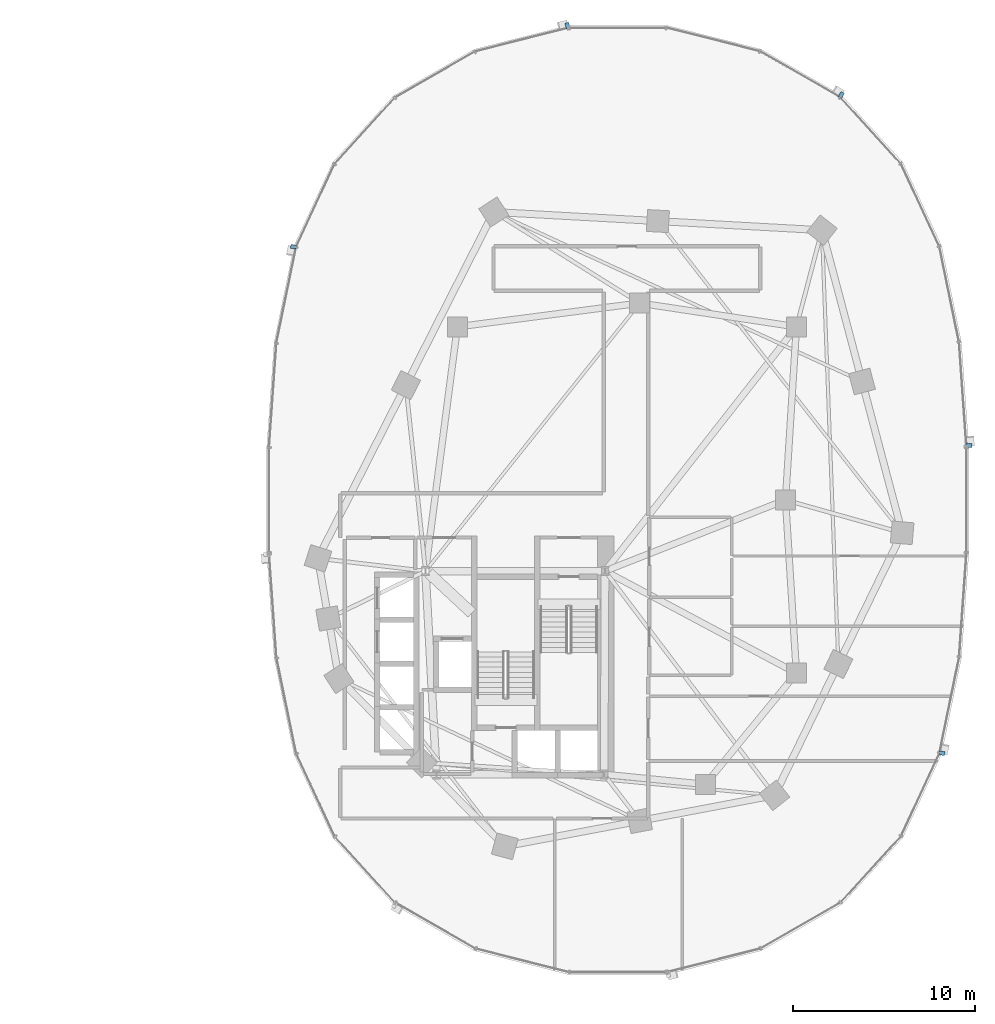
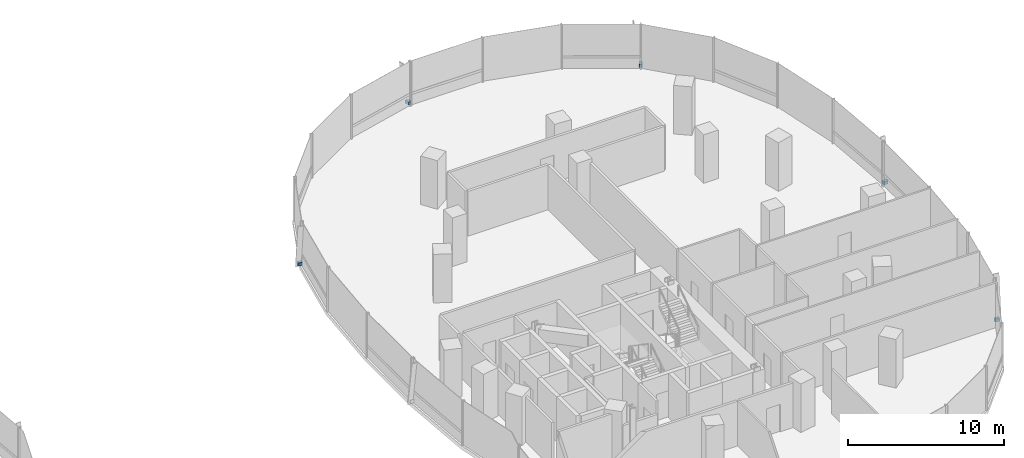
# One storey, part 16 of 21: 5 discrete accessories.
"""IFC4 building model written with IfcOpenShell, lengths in metres."""

from ifc_helpers import new_model, si_unit, direction, frame, origin, origin_2d, place, context, subcontext, project, spatial, rectangle, extrude, material, type_object, element, save


model = new_model("IFC4")

# Units and contexts
model_context = context("Model", 3, precision=1e-05, world=origin(), true_north=direction((0.0, 1.0)))
body_context = subcontext(model_context, "Body", "Model", "MODEL_VIEW")
ifc_project = project(units=[si_unit("LENGTHUNIT", "METRE"), si_unit("AREAUNIT", "SQUARE_METRE"), si_unit("VOLUMEUNIT", "CUBIC_METRE"), si_unit("PLANEANGLEUNIT", "RADIAN"), si_unit("MASSUNIT", "GRAM", prefix="KILO"), si_unit("THERMODYNAMICTEMPERATUREUNIT", "KELVIN"), si_unit("POWERUNIT", "WATT")], contexts=[model_context])

# Site, building, storey
site_placement = place(None, origin())
site = spatial("IfcSite", under=ifc_project, at=site_placement, CompositionType="ELEMENT")
building_placement = place(site_placement, origin())
building = spatial("IfcBuilding", under=site, at=building_placement, Name="Cundina Bronze Exchange", CompositionType="ELEMENT")
storey_placement = place(building_placement, frame((0.0, 0.0, 27.800048828125)))
storey = spatial("IfcBuildingStorey", under=building, at=storey_placement, Name="L06", CompositionType="ELEMENT", Elevation=27.800048828125)

# Discrete accessories
ifc_material = material(Name="Anodised Bronze Aluminium 6063-T6", Category="aluminium")
discrete_accessory_type = type_object("IfcDiscreteAccessoryType", Name="ACC-BRK-FIN", PredefinedType="BRACKET", material=ifc_material)
for number, where, z_axis, x_axis, name in (
    (1, (51.264404296875, 2.986083984375, 0.10009765625), (0.0, 0.0, 1.0), (-0.070278787473, 0.997527389113, 0.0), "L06 Fin Support Bracket 1"),
    (2, (44.259521484375, 22.21875, 0.10009765625), (0.0, 0.0, 1.0), (-0.867105478933, 0.498124571171, 0.0), "L06 Fin Support Bracket 5"),
    (3, (29.23974609375, 26.03173828125, 0.10009765625), (0.0, 0.0, 1.0), (-0.969488149345, -0.245138182011, 0.0), "L06 Fin Support Bracket 1"),
    (4, (14.211669921875, 13.8896484375, 0.10009765625), (0.0, 0.0, 1.0), (-0.201419845156, -0.979505000486, 0.0), "L06 Fin Support Bracket 5"),
    (5, (49.788330078125, -13.8896484375, 0.10009765625), (0.0, 0.0, 1.0), (0.201419845156, 0.979505000486, 0.0), "L06 Fin Support Bracket 5"),
):
    element("IfcDiscreteAccessory", number, at=place(storey_placement, frame(where, z_axis=z_axis, x_axis=x_axis)), inside=storey, type_object=discrete_accessory_type, Name=name, PredefinedType="BRACKET", context=body_context, shape_type="SweptSolid", body=[
        extrude(rectangle(XDim=0.219970703125, YDim=0.320068359375, at=origin_2d()), origin(), (0.0, 0.0, 1.0), 0.239990234375),
    ])

save(model, "model.ifc")
